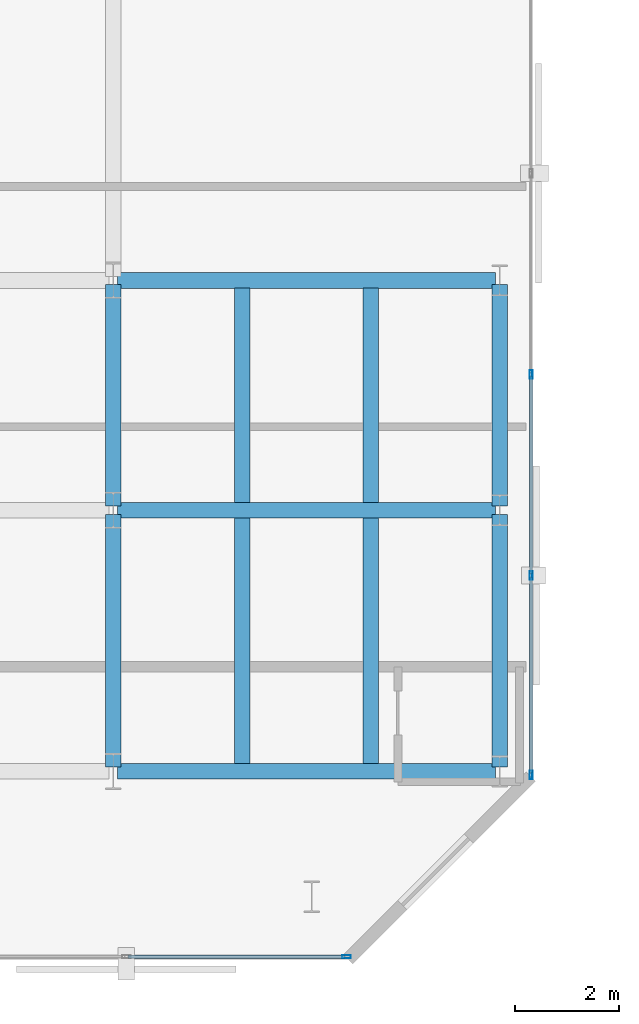
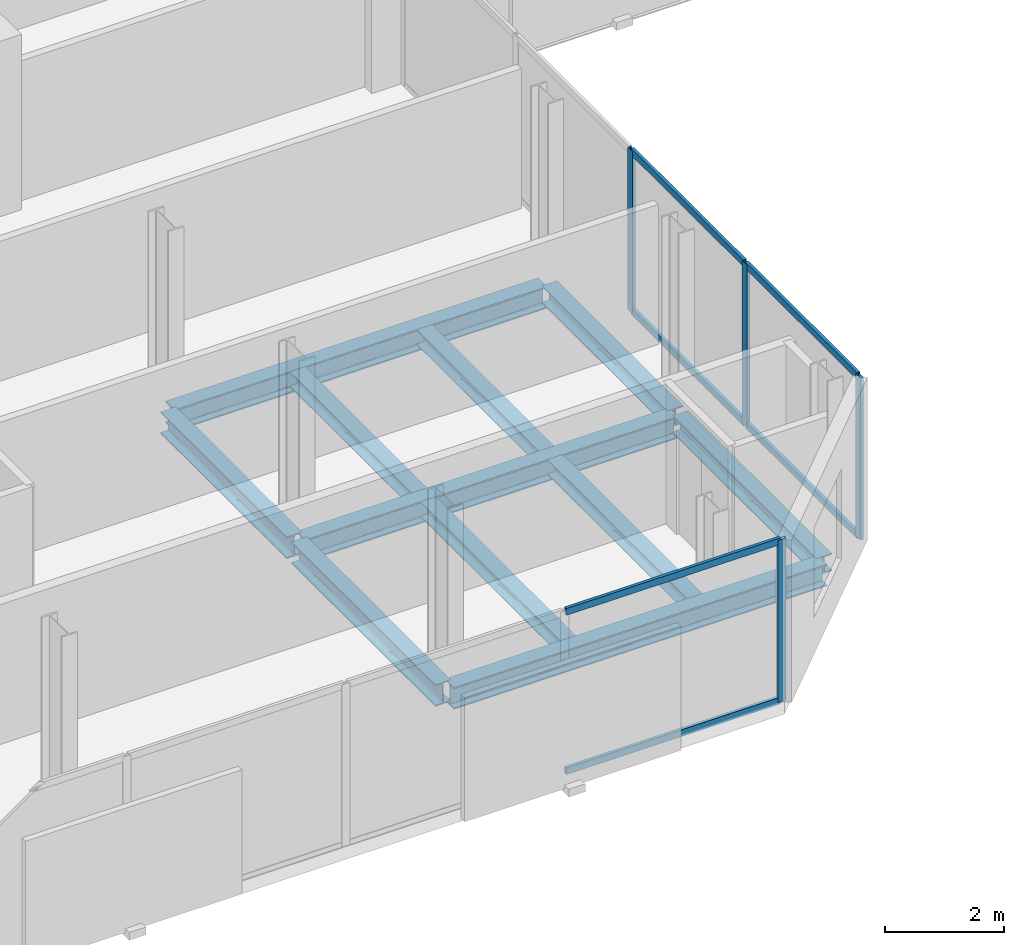
# One storey, part 7 of 32: 11 beams, 10 members, 2 elements without a shape of their own.
"""IFC4 building model written with IfcOpenShell, lengths in metres."""

from ifc_helpers import new_model, si_unit, direction, frame, origin, origin_2d, place, context, subcontext, project, spatial, hollow_rectangle, i_section, extrude, material, layer, layer_set, material_profile, profile_set, type_object, element, aggregate, save


model = new_model("IFC4")

# Units and contexts
model_context = context("Model", 3, precision=1e-05, world=origin(), true_north=direction((0.0, 1.0)))
body_context = subcontext(model_context, "Body", "Model", "MODEL_VIEW")
ifc_project = project(units=[si_unit("LENGTHUNIT", "METRE"), si_unit("AREAUNIT", "SQUARE_METRE"), si_unit("VOLUMEUNIT", "CUBIC_METRE"), si_unit("PLANEANGLEUNIT", "RADIAN"), si_unit("MASSUNIT", "GRAM", prefix="KILO")], contexts=[model_context])

# Site, building, storey
site_placement = place(None, origin())
site = spatial("IfcSite", under=ifc_project, at=site_placement, CompositionType="ELEMENT")
building_placement = place(site_placement, origin())
building = spatial("IfcBuilding", under=site, at=building_placement, Name="Catumbela Crestline Tower", CompositionType="ELEMENT")
storey_placement = place(building_placement, frame((0.0, 0.0, 129.6)))
storey = spatial("IfcBuildingStorey", under=building, at=storey_placement, Name="L33", CompositionType="ELEMENT", Elevation=129.6)

# Beams
ifc_material_1 = material(Name="Structural steel S355J2", Category="steel")
ifc_material_profile_1 = material_profile(ifc_material_1, i_section(OverallWidth=0.3, OverallDepth=0.45, WebThickness=0.014, FlangeThickness=0.026, FilletRadius=0.027, at=origin_2d()), Name="HEB 450")
ifc_profile_set_1 = profile_set([ifc_material_profile_1], Name="Structural steel S355J2")
beam_type_1 = type_object("IfcBeamType", Name="BG-HEB450", PredefinedType="BEAM", material=ifc_profile_set_1)
for number, where, z_axis, x_axis, name in (
    (1, (16.08, 8.6, -0.485), (1.0, 0.0, 0.0), (0.0, 1.0, 0.0), "L33 Beam BM-L33-WEW45"),
    (2, (16.08, 13.6, -0.485), (1.0, 0.0, 0.0), (0.0, 1.0, 0.0), "L33 Beam BM-L33-WEW48"),
    (3, (16.08, 18.0, -0.485), (1.0, 0.0, 0.0), (0.0, 1.0, 0.0), "L33 Beam BM-L33-WEW51"),
):
    element("IfcBeam", number, at=place(storey_placement, frame(where, z_axis=z_axis, x_axis=x_axis)), inside=storey, type_object=beam_type_1, Name=name, PredefinedType="BEAM", context=body_context, shape_type="SweptSolid", body=[
        extrude(i_section(OverallWidth=0.3, OverallDepth=0.45, WebThickness=0.014, FlangeThickness=0.026, FilletRadius=0.027, at=origin_2d()), origin(), (0.0, 0.0, 1.0), 7.24),
    ])
beam_1_placement = place(storey_placement, frame((16.0, 8.68, -0.485), z_axis=(0.0, 1.0, 0.0), x_axis=(-1.0, 0.0, 0.0)))
element("IfcBeam", 4, at=beam_1_placement, inside=storey, type_object=beam_type_1, Name="L33 Beam BM-L33-WNS58", PredefinedType="BEAM", context=body_context, shape_type="SweptSolid", body=[
    extrude(i_section(OverallWidth=0.3, OverallDepth=0.45, WebThickness=0.014, FlangeThickness=0.026, FilletRadius=0.027, at=origin_2d()), origin(), (0.0, 0.0, 1.0), 4.84),
])
beam_2_placement = place(storey_placement, frame((16.0, 13.68, -0.485), z_axis=(0.0, 1.0, 0.0), x_axis=(-1.0, 0.0, 0.0)))
element("IfcBeam", 5, at=beam_2_placement, inside=storey, type_object=beam_type_1, Name="L33 Beam BM-L33-WNS59", PredefinedType="BEAM", context=body_context, shape_type="SweptSolid", body=[
    extrude(i_section(OverallWidth=0.3, OverallDepth=0.45, WebThickness=0.014, FlangeThickness=0.026, FilletRadius=0.027, at=origin_2d()), origin(), (0.0, 0.0, 1.0), 4.24),
])
ifc_material_profile_2 = material_profile(ifc_material_1, i_section(OverallWidth=0.3, OverallDepth=0.31, WebThickness=0.009, FlangeThickness=0.0155, FilletRadius=0.027, at=origin_2d()), Name="HEA 320")
ifc_profile_set_2 = profile_set([ifc_material_profile_2], Name="Structural steel S355J2")
beam_type_2 = type_object("IfcBeamType", Name="BJ-HEA320", PredefinedType="JOIST", material=ifc_profile_set_2)
for number, where, z_axis, x_axis, name in (
    (6, (18.467, 8.747, -0.415), (0.0, 1.0, 0.0), (-1.0, 0.0, 0.0), "L33 Joist JS-L33-WG67"),
    (7, (20.933, 8.747, -0.415), (0.0, 1.0, 0.0), (-1.0, 0.0, 0.0), "L33 Joist JS-L33-WG68"),
):
    element("IfcBeam", number, at=place(storey_placement, frame(where, z_axis=z_axis, x_axis=x_axis)), inside=storey, type_object=beam_type_2, Name=name, PredefinedType="JOIST", context=body_context, shape_type="SweptSolid", body=[
        extrude(i_section(OverallWidth=0.3, OverallDepth=0.31, WebThickness=0.009, FlangeThickness=0.0155, FilletRadius=0.027, at=origin_2d()), origin(), (0.0, 0.0, 1.0), 4.706),
    ])
for number, where, z_axis, x_axis, name in (
    (8, (18.467, 13.747, -0.415), (0.0, 1.0, 0.0), (-1.0, 0.0, 0.0), "L33 Joist JS-L33-WG73"),
    (9, (20.933, 13.747, -0.415), (0.0, 1.0, 0.0), (-1.0, 0.0, 0.0), "L33 Joist JS-L33-WG74"),
):
    element("IfcBeam", number, at=place(storey_placement, frame(where, z_axis=z_axis, x_axis=x_axis)), inside=storey, type_object=beam_type_2, Name=name, PredefinedType="JOIST", context=body_context, shape_type="SweptSolid", body=[
        extrude(i_section(OverallWidth=0.3, OverallDepth=0.31, WebThickness=0.009, FlangeThickness=0.0155, FilletRadius=0.027, at=origin_2d()), origin(), (0.0, 0.0, 1.0), 4.106),
    ])

# Curtain wall, member
ifc_material_2 = material(Name="Aluminium alloy AW-6060-T66", Category="aluminium")
ifc_layer = layer(ifc_material_2, 0.18, Name="Aluminium alloy AW-6060-T66")
ifc_layer_set = layer_set([ifc_layer], Name="Aluminium alloy AW-6060-T66")
curtain_wall_type = type_object("IfcCurtainWallType", Name="CWU-Z2", PredefinedType="USERDEFINED", material=ifc_layer_set)
curtain_wall_1_placement = place(storey_placement, origin())
curtain_wall_1 = element("IfcCurtainWall", 10, at=curtain_wall_1_placement, inside=storey, type_object=curtain_wall_type, Name="L33 Unitised Curtain Wall CW-L33-E0S1", ObjectType="UNITISED", PredefinedType="USERDEFINED")
ifc_material_profile_3 = material_profile(ifc_material_2, hollow_rectangle(XDim=0.06, YDim=0.16, WallThickness=0.004, at=origin_2d()), Name="ALU 160x60x4")
ifc_profile_set_3 = profile_set([ifc_material_profile_3], Name="Aluminium alloy AW-6060-T66")
member_type_1 = type_object("IfcMemberType", Name="MUL-160X60", PredefinedType="MULLION", material=ifc_profile_set_3)
member_1_placement = place(storey_placement, frame((20.4675, 5.05, 0.0), z_axis=(0.0, 0.0, 1.0), x_axis=(0.0, 1.0, 0.0)))
member_1 = element("IfcMember", 11, at=member_1_placement, type_object=member_type_1, Name="CWU-Z2 mullion 5", PredefinedType="MULLION", context=body_context, shape_type="SweptSolid", body=[
    extrude(hollow_rectangle(XDim=0.06, YDim=0.16, WallThickness=0.004, at=origin_2d()), origin(), (0.0, 0.0, 1.0), 3.33),
])

# Curtain wall, members
curtain_wall_2_placement = place(storey_placement, origin())
curtain_wall_2 = element("IfcCurtainWall", 12, at=curtain_wall_2_placement, inside=storey, type_object=curtain_wall_type, Name="L33 Unitised Curtain Wall CW-L33-E2S1", ObjectType="UNITISED", PredefinedType="USERDEFINED")
member_2_placement = place(storey_placement, frame((24.0, 8.5325, 0.0), z_axis=(0.0, 0.0, 1.0), x_axis=(-1.0, 0.0, 0.0)))
member_2 = element("IfcMember", 13, at=member_2_placement, type_object=member_type_1, Name="CWU-Z2 mullion 1", PredefinedType="MULLION", context=body_context, shape_type="SweptSolid", body=[
    extrude(hollow_rectangle(XDim=0.06, YDim=0.16, WallThickness=0.004, at=origin_2d()), origin(), (0.0, 0.0, 1.0), 3.33),
])
member_3_placement = place(storey_placement, frame((24.0, 12.35, 0.0), z_axis=(0.0, 0.0, 1.0), x_axis=(-1.0, 0.0, 0.0)))
member_3 = element("IfcMember", 14, at=member_3_placement, type_object=member_type_1, Name="CWU-Z2 mullion 2", PredefinedType="MULLION", context=body_context, shape_type="SweptSolid", body=[
    extrude(hollow_rectangle(XDim=0.06, YDim=0.16, WallThickness=0.004, at=origin_2d()), origin(), (0.0, 0.0, 1.0), 3.33),
])
member_4_placement = place(storey_placement, frame((24.0, 16.2, 0.0), z_axis=(0.0, 0.0, 1.0), x_axis=(-1.0, 0.0, 0.0)))
member_4 = element("IfcMember", 15, at=member_4_placement, type_object=member_type_1, Name="CWU-Z2 mullion 3", PredefinedType="MULLION", context=body_context, shape_type="SweptSolid", body=[
    extrude(hollow_rectangle(XDim=0.06, YDim=0.16, WallThickness=0.004, at=origin_2d()), origin(), (0.0, 0.0, 1.0), 3.33),
])

# Beams
ifc_material_profile_4 = material_profile(ifc_material_1, i_section(OverallWidth=0.3, OverallDepth=0.36, WebThickness=0.0125, FlangeThickness=0.0225, FilletRadius=0.027, at=origin_2d()), Name="HEB 360")
ifc_profile_set_4 = profile_set([ifc_material_profile_4], Name="Structural steel S355J2")
beam_type_3 = type_object("IfcBeamType", Name="BS-HEB360", PredefinedType="SPANDREL", material=ifc_profile_set_4)
beam_3_placement = place(storey_placement, frame((23.4, 8.68, -0.44), z_axis=(0.0, 1.0, 0.0), x_axis=(-1.0, 0.0, 0.0)))
element("IfcBeam", 16, at=beam_3_placement, inside=storey, type_object=beam_type_3, Name="L33 Spandrel SP-L33-WNS61", PredefinedType="SPANDREL", context=body_context, shape_type="SweptSolid", body=[
    extrude(i_section(OverallWidth=0.3, OverallDepth=0.36, WebThickness=0.0125, FlangeThickness=0.0225, FilletRadius=0.027, at=origin_2d()), origin(), (0.0, 0.0, 1.0), 4.84),
])
beam_4_placement = place(storey_placement, frame((23.4, 13.68, -0.44), z_axis=(0.0, 1.0, 0.0), x_axis=(-1.0, 0.0, 0.0)))
element("IfcBeam", 17, at=beam_4_placement, inside=storey, type_object=beam_type_3, Name="L33 Spandrel SP-L33-WNS62", PredefinedType="SPANDREL", context=body_context, shape_type="SweptSolid", body=[
    extrude(i_section(OverallWidth=0.3, OverallDepth=0.36, WebThickness=0.0125, FlangeThickness=0.0225, FilletRadius=0.027, at=origin_2d()), origin(), (0.0, 0.0, 1.0), 4.24),
])

# Member
ifc_material_profile_5 = material_profile(ifc_material_2, hollow_rectangle(XDim=0.06, YDim=0.14, WallThickness=0.004, at=origin_2d()), Name="ALU 140x60x4")
ifc_profile_set_5 = profile_set([ifc_material_profile_5], Name="Aluminium alloy AW-6060-T66")
member_type_2 = type_object("IfcMemberType", Name="TRN-140X60", PredefinedType="USERDEFINED", material=ifc_profile_set_5)
member_5_placement = place(storey_placement, frame((16.2825, 5.05, 0.03), z_axis=(1.0, 0.0, 0.0), x_axis=(0.0, 1.0, 0.0)))
member_5 = element("IfcMember", 18, at=member_5_placement, type_object=member_type_2, Name="CWU-Z2 transom 4.1", ObjectType="TRANSOM", PredefinedType="USERDEFINED", context=body_context, shape_type="SweptSolid", body=[
    extrude(hollow_rectangle(XDim=0.06, YDim=0.14, WallThickness=0.004, at=origin_2d()), origin(), (0.0, 0.0, 1.0), 4.1525),
])

member_6_placement = place(storey_placement, frame((16.2825, 5.05, 3.3), z_axis=(1.0, 0.0, 0.0), x_axis=(0.0, 1.0, 0.0)))
member_6 = element("IfcMember", 19, at=member_6_placement, type_object=member_type_2, Name="CWU-Z2 transom 4.2", ObjectType="TRANSOM", PredefinedType="USERDEFINED", context=body_context, shape_type="SweptSolid", body=[
    extrude(hollow_rectangle(XDim=0.06, YDim=0.14, WallThickness=0.004, at=origin_2d()), origin(), (0.0, 0.0, 1.0), 4.1525),
])

aggregate(curtain_wall_1, [member_1, member_5, member_6])

member_7_placement = place(storey_placement, frame((24.0, 8.565, 0.03), z_axis=(0.0, 1.0, 0.0), x_axis=(-1.0, 0.0, 0.0)))
member_7 = element("IfcMember", 20, at=member_7_placement, type_object=member_type_2, Name="CWU-Z2 transom 1.1", ObjectType="TRANSOM", PredefinedType="USERDEFINED", context=body_context, shape_type="SweptSolid", body=[
    extrude(hollow_rectangle(XDim=0.06, YDim=0.14, WallThickness=0.004, at=origin_2d()), origin(), (0.0, 0.0, 1.0), 3.7525),
])

member_8_placement = place(storey_placement, frame((24.0, 8.565, 3.3), z_axis=(0.0, 1.0, 0.0), x_axis=(-1.0, 0.0, 0.0)))
member_8 = element("IfcMember", 21, at=member_8_placement, type_object=member_type_2, Name="CWU-Z2 transom 1.2", ObjectType="TRANSOM", PredefinedType="USERDEFINED", context=body_context, shape_type="SweptSolid", body=[
    extrude(hollow_rectangle(XDim=0.06, YDim=0.14, WallThickness=0.004, at=origin_2d()), origin(), (0.0, 0.0, 1.0), 3.7525),
])

member_9_placement = place(storey_placement, frame((24.0, 12.3825, 0.03), z_axis=(0.0, 1.0, 0.0), x_axis=(-1.0, 0.0, 0.0)))
member_9 = element("IfcMember", 22, at=member_9_placement, type_object=member_type_2, Name="CWU-Z2 transom 2.1", ObjectType="TRANSOM", PredefinedType="USERDEFINED", context=body_context, shape_type="SweptSolid", body=[
    extrude(hollow_rectangle(XDim=0.06, YDim=0.14, WallThickness=0.004, at=origin_2d()), origin(), (0.0, 0.0, 1.0), 3.785),
])

member_10_placement = place(storey_placement, frame((24.0, 12.3825, 3.3), z_axis=(0.0, 1.0, 0.0), x_axis=(-1.0, 0.0, 0.0)))
member_10 = element("IfcMember", 23, at=member_10_placement, type_object=member_type_2, Name="CWU-Z2 transom 2.2", ObjectType="TRANSOM", PredefinedType="USERDEFINED", context=body_context, shape_type="SweptSolid", body=[
    extrude(hollow_rectangle(XDim=0.06, YDim=0.14, WallThickness=0.004, at=origin_2d()), origin(), (0.0, 0.0, 1.0), 3.785),
])

aggregate(curtain_wall_2, [member_2, member_3, member_4, member_7, member_8, member_9, member_10])

save(model, "model.ifc")
